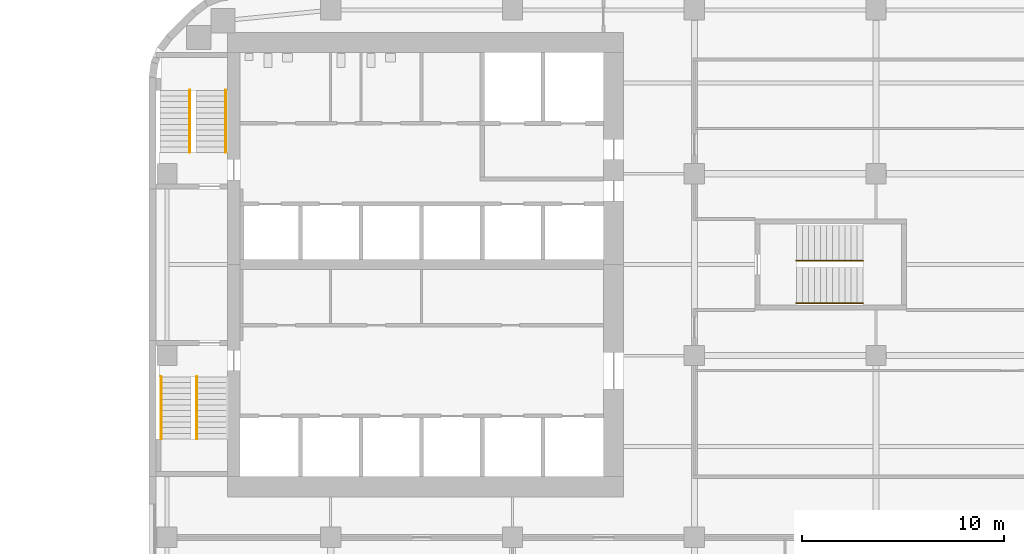
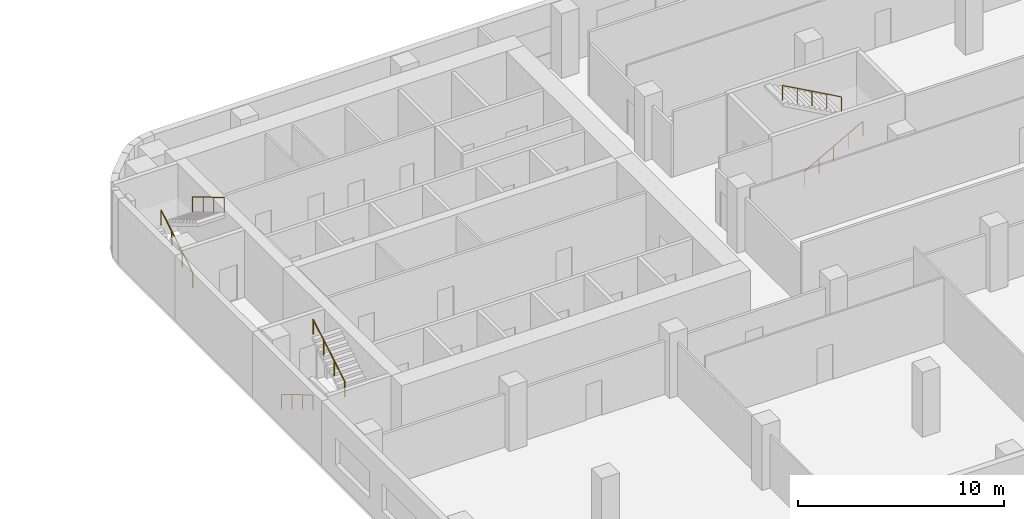
# One storey, part 15 of 16: 6 railings, 3 elements without a shape of their own.
"""IFC4 building model written with IfcOpenShell, lengths in metres."""

import ifcopenshell
import ifcopenshell.guid

model = None  # the IFC model being written
_history = None  # IfcOwnerHistory: only IFC2X3 demands one
_inside = {}  # id of a spatial element -> (the spatial element, [elements in it])
_under = {}  # id of a project, library or spatial element -> (it, [spatial elements below it])
_declared = {}  # id of a project -> (the project, [libraries it declares])
_typed = {}  # id of a type object -> (the type object, [elements of that type])
_made_of = {}  # id of a material, layer set ... -> (it, [elements and type objects made of it])


def new_model(schema):
    """Start an empty IFC model of exactly this schema.

    Asked for "IFC4X3", IfcOpenShell would pick the latest addendum, in which some entities
    have other attributes; the version numbers below select the first issue.
    IFC2X3 requires an IfcOwnerHistory on every rooted entity: one is made here for all.
    """
    global model, _history
    if schema == "IFC4X3":
        model = ifcopenshell.file(schema_version=(4, 3, 0, 0))
    else:
        model = ifcopenshell.file(schema=schema)
    _inside.clear()
    _under.clear()
    _declared.clear()
    _typed.clear()
    _made_of.clear()
    _history = None
    if model.schema == "IFC2X3":
        org = make("IfcOrganization", Name="unknown")
        user = make(
            "IfcPersonAndOrganization",
            ThePerson=make("IfcPerson", FamilyName="unknown"),
            TheOrganization=org,
        )
        app = make(
            "IfcApplication",
            ApplicationDeveloper=org,
            Version="unknown",
            ApplicationFullName="unknown",
            ApplicationIdentifier="unknown",
        )
        _history = make(
            "IfcOwnerHistory",
            OwningUser=user,
            OwningApplication=app,
            ChangeAction="ADDED",
            CreationDate=0,
        )
    return model


def make(cls, **values):
    """One entity of the class cls with the attributes given. An attribute that is None is left unset."""
    return model.create_entity(
        cls, **{name: value for name, value in values.items() if value is not None}
    )


def rooted(cls, **values):
    """An entity with a GlobalId (a new one), such as an element, a storey or a relation."""
    return make(cls, GlobalId=ifcopenshell.guid.new(), OwnerHistory=_history, **values)


def si_unit(unit_type, name, prefix=None):
    """IfcSIUnit, for example si_unit("LENGTHUNIT", "METRE", prefix="MILLI")."""
    return make("IfcSIUnit", UnitType=unit_type, Prefix=prefix, Name=name)


def assignment(units):
    """IfcUnitAssignment: the units of a project."""
    return None if units is None else make("IfcUnitAssignment", Units=units)


def point(xyz):
    """IfcCartesianPoint."""
    return None if xyz is None else make("IfcCartesianPoint", Coordinates=xyz)


def direction(xyz):
    """IfcDirection."""
    return None if xyz is None else make("IfcDirection", DirectionRatios=xyz)


def frame(location, z_axis=None, x_axis=None):
    """IfcAxis2Placement3D, a coordinate frame: its origin and axes. An axis left out is left unset."""
    return make(
        "IfcAxis2Placement3D",
        Location=point(location),
        Axis=direction(z_axis),
        RefDirection=direction(x_axis),
    )


def frame_2d(location, x_axis=None):
    """IfcAxis2Placement2D, a coordinate frame in the plane: its origin and x axis."""
    return make(
        "IfcAxis2Placement2D", Location=point(location), RefDirection=direction(x_axis)
    )


def origin():
    """The frame at (0, 0, 0) with its axes left unset."""
    return frame((0.0, 0.0, 0.0))


def origin_2d():
    """The frame at (0, 0) in the plane with its x axis left unset."""
    return frame_2d((0.0, 0.0))


def place(relative_to, where):
    """IfcLocalPlacement: puts the frame where relative to a parent placement (None: the world)."""
    return make(
        "IfcLocalPlacement", PlacementRelTo=relative_to, RelativePlacement=where
    )


def context(
    kind, dimensions, precision=None, world=None, true_north=None, identifier=None
):
    """IfcGeometricRepresentationContext, for example the 3D "Model" context."""
    return make(
        "IfcGeometricRepresentationContext",
        ContextIdentifier=identifier,
        ContextType=kind,
        CoordinateSpaceDimension=dimensions,
        Precision=precision,
        WorldCoordinateSystem=world,
        TrueNorth=true_north,
    )


def subcontext(parent, identifier, kind, view, scale=None):
    """IfcGeometricRepresentationSubContext, for example "Body" below "Model"."""
    return make(
        "IfcGeometricRepresentationSubContext",
        ContextIdentifier=identifier,
        ContextType=kind,
        ParentContext=parent,
        TargetScale=scale,
        TargetView=view,
    )


def project(units=None, contexts=None):
    """IfcProject with its units and contexts."""
    return rooted(
        "IfcProject",
        Name="project",
        RepresentationContexts=contexts,
        UnitsInContext=assignment(units),
    )


def spatial(cls, under=None, at=None, **own):
    """A site, building, storey or space (cls), placed at a placement, below another one or the project."""
    s = rooted(cls, ObjectPlacement=at, **own)
    if under is not None:
        _under.setdefault(under.id(), (under, []))[1].append(s)
    return s


def profile(cls, at=None, kind="AREA", **sizes):
    """A parametric profile (cls). Its sizes go by their IFC names, for example OverallWidth=200.0."""
    return make(cls, ProfileType=kind, Position=at, **sizes)


def circle(**sizes):
    """IfcCircleProfileDef."""
    return profile("IfcCircleProfileDef", **sizes)


def extrude(swept, where, along, depth):
    """IfcExtrudedAreaSolid: the profile swept, set in the frame where, extruded along a direction by depth."""
    return make(
        "IfcExtrudedAreaSolid",
        SweptArea=swept,
        Position=where,
        ExtrudedDirection=direction(along),
        Depth=depth,
    )


def shape(context_of_items, identifier, shape_type, items):
    """IfcShapeRepresentation: the items that make up one representation, for example the "Body"."""
    return make(
        "IfcShapeRepresentation",
        ContextOfItems=context_of_items,
        RepresentationIdentifier=identifier,
        RepresentationType=shape_type,
        Items=items,
    )


def material(Name=None, Category=None):
    """IfcMaterial."""
    return make("IfcMaterial", Name=Name, Category=Category)


def made_of(thing, what):
    """Note that an element or type object is made of a material, layer set ...; save() writes the relation."""
    if what is not None:
        _made_of.setdefault(what.id(), (what, []))[1].append(thing)
    return thing


def type_object(cls, material=None, **own):
    """A type object (cls), such as IfcWallType, which elements share."""
    return made_of(rooted(cls, **own), material)


def element(
    cls,
    number,
    at=None,
    inside=None,
    cuts=None,
    type_object=None,
    material=None,
    context=None,
    identifier="Body",
    shape_type=None,
    held_by="IfcProductDefinitionShape",
    body=None,
    shapes=None,
    **own,
):
    """One element of the class cls, such as IfcWall. Its Tag is "e" and its number.

    at: its placement. inside: the storey or other place that contains it. cuts: it is an
    opening in that element (IfcRelVoidsElement). A single representation is given by context,
    identifier, shape_type and body (its items); several are given by shapes. held_by: the class
    of the entity that holds the representations. save() writes the other relations.
    """
    e = rooted(cls, Tag="e%d" % number, ObjectPlacement=at, **own)
    if body is not None:
        shapes = [shape(context, identifier, shape_type, body)]
    if shapes is not None:
        e.Representation = make(held_by, Representations=shapes)
    if inside is not None:
        _inside.setdefault(inside.id(), (inside, []))[1].append(e)
    if cuts is not None:
        rooted(
            "IfcRelVoidsElement", RelatingBuildingElement=cuts, RelatedOpeningElement=e
        )
    if type_object is not None:
        _typed.setdefault(type_object.id(), (type_object, []))[1].append(e)
    return made_of(e, material)


def aggregate(whole, parts):
    """IfcRelAggregates: a whole, such as a stair, and the parts it consists of."""
    return rooted("IfcRelAggregates", RelatingObject=whole, RelatedObjects=parts)


def save(model, path):
    """Write the relations noted so far, then the file.

    IfcRelAggregates (storeys below a building ...), IfcRelContainedInSpatialStructure (elements
    in a storey), IfcRelDefinesByType, IfcRelAssociatesMaterial and IfcRelDeclares: one each for
    every whole, place, type object, material and project.
    """
    for whole, parts in _under.values():
        aggregate(whole, parts)
    for where, things in _inside.values():
        rooted(
            "IfcRelContainedInSpatialStructure",
            RelatedElements=things,
            RelatingStructure=where,
        )
    for kind, things in _typed.values():
        rooted("IfcRelDefinesByType", RelatedObjects=things, RelatingType=kind)
    for what, things in _made_of.values():
        rooted("IfcRelAssociatesMaterial", RelatedObjects=things, RelatingMaterial=what)
    for by, libraries in _declared.values():
        rooted("IfcRelDeclares", RelatingContext=by, RelatedDefinitions=libraries)
    model.write(path)


model = new_model("IFC4")

# Units and contexts
model_context = context("Model", 3, precision=1e-05, world=origin(), true_north=direction((0.0, 1.0)))
body_context = subcontext(model_context, "Body", "Model", "MODEL_VIEW")
ifc_project = project(units=[si_unit("LENGTHUNIT", "METRE"), si_unit("AREAUNIT", "SQUARE_METRE"), si_unit("VOLUMEUNIT", "CUBIC_METRE"), si_unit("PLANEANGLEUNIT", "RADIAN"), si_unit("MASSUNIT", "GRAM", prefix="KILO")], contexts=[model_context])

# Site, building, storey
site_placement = place(None, origin())
site = spatial("IfcSite", under=ifc_project, at=site_placement, CompositionType="ELEMENT")
building_placement = place(site_placement, origin())
building = spatial("IfcBuilding", under=site, at=building_placement, Name="Cinnabar Reach Civic Tower", CompositionType="ELEMENT")
storey_placement = place(building_placement, frame((0.0, 0.0, 38.0)))
storey = spatial("IfcBuildingStorey", under=building, at=storey_placement, Name="L08", CompositionType="ELEMENT", Elevation=38.0)

# Stair, railings
ifc_material_1 = material(Name="Concrete C40/50", Category="concrete")
stair_type = type_object("IfcStairType", Name="T1 Exit stair, half-turn", PredefinedType="HALF_TURN_STAIR", material=ifc_material_1)
stair_1_placement = place(storey_placement, origin())
stair_1 = element("IfcStair", 1, at=stair_1_placement, inside=storey, type_object=stair_type, Name="Stair T1-S1", PredefinedType="HALF_TURN_STAIR")
ifc_material_2 = material(Name="Stainless steel tube", Category="steel")
railing_type = type_object("IfcRailingType", Name="T1 Stair handrail, stainless tube 48", PredefinedType="HANDRAIL", material=ifc_material_2)
railing_1_placement = place(storey_placement, frame((0.6, 25.95, 0.1667)))
railing_1 = element("IfcRailing", 2, at=railing_1_placement, type_object=railing_type, Name="T1-S1 handrail 1", PredefinedType="HANDRAIL", context=body_context, shape_type="SweptSolid", body=[
    extrude(circle(Radius=0.024, at=origin_2d()), frame((0.0, 0.0, 0.876), z_axis=(0.0, -0.859296971757, 0.511476992962), x_axis=(1.0, 0.0, 0.0)), (0.0, 0.0, 1.0), 3.5843),
    extrude(circle(Radius=0.021, at=origin_2d()), origin(), (0.0, 0.0, 1.0), 0.852),
    extrude(circle(Radius=0.021, at=origin_2d()), frame((0.0, -1.0267, 0.6111)), (0.0, 0.0, 1.0), 0.852),
    extrude(circle(Radius=0.021, at=origin_2d()), frame((0.0, -2.0533, 1.2222)), (0.0, 0.0, 1.0), 0.852),
    extrude(circle(Radius=0.021, at=origin_2d()), frame((0.0, -3.08, 1.8333)), (0.0, 0.0, 1.0), 0.852),
])
railing_2_placement = place(storey_placement, frame((2.375, 22.87, 2.1667)))
railing_2 = element("IfcRailing", 3, at=railing_2_placement, type_object=railing_type, Name="T1-S1 handrail 2", PredefinedType="HANDRAIL", context=body_context, shape_type="SweptSolid", body=[
    extrude(circle(Radius=0.024, at=origin_2d()), frame((0.0, 0.0, 0.876), z_axis=(0.0, 0.859296971757, 0.511476992962), x_axis=(-1.0, 0.0, 0.0)), (0.0, 0.0, 1.0), 3.5843),
    extrude(circle(Radius=0.021, at=origin_2d()), origin(), (0.0, 0.0, 1.0), 0.852),
    extrude(circle(Radius=0.021, at=origin_2d()), frame((0.0, 1.0267, 0.6111)), (0.0, 0.0, 1.0), 0.852),
    extrude(circle(Radius=0.021, at=origin_2d()), frame((0.0, 2.0533, 1.2222)), (0.0, 0.0, 1.0), 0.852),
    extrude(circle(Radius=0.021, at=origin_2d()), frame((0.0, 3.08, 1.8333)), (0.0, 0.0, 1.0), 0.852),
])
aggregate(stair_1, [railing_1, railing_2])

stair_2_placement = place(storey_placement, origin())
stair_2 = element("IfcStair", 4, at=stair_2_placement, inside=storey, type_object=stair_type, Name="Stair T1-S2", PredefinedType="HALF_TURN_STAIR")
railing_3_placement = place(storey_placement, frame((2.025, 37.05, 0.1667)))
railing_3 = element("IfcRailing", 5, at=railing_3_placement, type_object=railing_type, Name="T1-S2 handrail 1", PredefinedType="HANDRAIL", context=body_context, shape_type="SweptSolid", body=[
    extrude(circle(Radius=0.024, at=origin_2d()), frame((0.0, 0.0, 0.876), z_axis=(0.0, 0.859296971757, 0.511476992962), x_axis=(-1.0, 0.0, 0.0)), (0.0, 0.0, 1.0), 3.5843),
    extrude(circle(Radius=0.021, at=origin_2d()), origin(), (0.0, 0.0, 1.0), 0.852),
    extrude(circle(Radius=0.021, at=origin_2d()), frame((0.0, 1.0267, 0.6111)), (0.0, 0.0, 1.0), 0.852),
    extrude(circle(Radius=0.021, at=origin_2d()), frame((0.0, 2.0533, 1.2222)), (0.0, 0.0, 1.0), 0.852),
    extrude(circle(Radius=0.021, at=origin_2d()), frame((0.0, 3.08, 1.8333)), (0.0, 0.0, 1.0), 0.852),
])
railing_4_placement = place(storey_placement, frame((3.8, 40.13, 2.1667)))
railing_4 = element("IfcRailing", 6, at=railing_4_placement, type_object=railing_type, Name="T1-S2 handrail 2", PredefinedType="HANDRAIL", context=body_context, shape_type="SweptSolid", body=[
    extrude(circle(Radius=0.024, at=origin_2d()), frame((0.0, 0.0, 0.876), z_axis=(0.0, -0.859296971757, 0.511476992962), x_axis=(1.0, 0.0, 0.0)), (0.0, 0.0, 1.0), 3.5843),
    extrude(circle(Radius=0.021, at=origin_2d()), origin(), (0.0, 0.0, 1.0), 0.852),
    extrude(circle(Radius=0.021, at=origin_2d()), frame((0.0, -1.0267, 0.6111)), (0.0, 0.0, 1.0), 0.852),
    extrude(circle(Radius=0.021, at=origin_2d()), frame((0.0, -2.0533, 1.2222)), (0.0, 0.0, 1.0), 0.852),
    extrude(circle(Radius=0.021, at=origin_2d()), frame((0.0, -3.08, 1.8333)), (0.0, 0.0, 1.0), 0.852),
])
aggregate(stair_2, [railing_3, railing_4])

stair_3_placement = place(storey_placement, origin())
stair_3 = element("IfcStair", 7, at=stair_3_placement, inside=storey, type_object=stair_type, Name="Stair T1-S3", PredefinedType="HALF_TURN_STAIR")
railing_5_placement = place(storey_placement, frame((32.05, 29.6, 0.1667)))
railing_5 = element("IfcRailing", 8, at=railing_5_placement, type_object=railing_type, Name="T1-S3 handrail 1", PredefinedType="HANDRAIL", context=body_context, shape_type="SweptSolid", body=[
    extrude(circle(Radius=0.024, at=origin_2d()), frame((0.0, 0.0, 0.876), z_axis=(0.874161024642, 0.0, 0.485636183781), x_axis=(0.0, 1.0, 0.0)), (0.0, 0.0, 1.0), 3.775),
    extrude(circle(Radius=0.021, at=origin_2d()), origin(), (0.0, 0.0, 1.0), 0.852),
    extrude(circle(Radius=0.021, at=origin_2d()), frame((0.825, 0.0, 0.4583)), (0.0, 0.0, 1.0), 0.852),
    extrude(circle(Radius=0.021, at=origin_2d()), frame((1.65, 0.0, 0.9167)), (0.0, 0.0, 1.0), 0.852),
    extrude(circle(Radius=0.021, at=origin_2d()), frame((2.475, 0.0, 1.375)), (0.0, 0.0, 1.0), 0.852),
    extrude(circle(Radius=0.021, at=origin_2d()), frame((3.3, 0.0, 1.8333)), (0.0, 0.0, 1.0), 0.852),
])
railing_6_placement = place(storey_placement, frame((35.35, 31.7, 2.1667)))
railing_6 = element("IfcRailing", 9, at=railing_6_placement, type_object=railing_type, Name="T1-S3 handrail 2", PredefinedType="HANDRAIL", context=body_context, shape_type="SweptSolid", body=[
    extrude(circle(Radius=0.024, at=origin_2d()), frame((0.0, 0.0, 0.876), z_axis=(-0.874161024642, 0.0, 0.485636183781), x_axis=(0.0, -1.0, 0.0)), (0.0, 0.0, 1.0), 3.775),
    extrude(circle(Radius=0.021, at=origin_2d()), origin(), (0.0, 0.0, 1.0), 0.852),
    extrude(circle(Radius=0.021, at=origin_2d()), frame((-0.825, 0.0, 0.4583)), (0.0, 0.0, 1.0), 0.852),
    extrude(circle(Radius=0.021, at=origin_2d()), frame((-1.65, 0.0, 0.9167)), (0.0, 0.0, 1.0), 0.852),
    extrude(circle(Radius=0.021, at=origin_2d()), frame((-2.475, 0.0, 1.375)), (0.0, 0.0, 1.0), 0.852),
    extrude(circle(Radius=0.021, at=origin_2d()), frame((-3.3, 0.0, 1.8333)), (0.0, 0.0, 1.0), 0.852),
])
aggregate(stair_3, [railing_5, railing_6])

save(model, "model.ifc")
